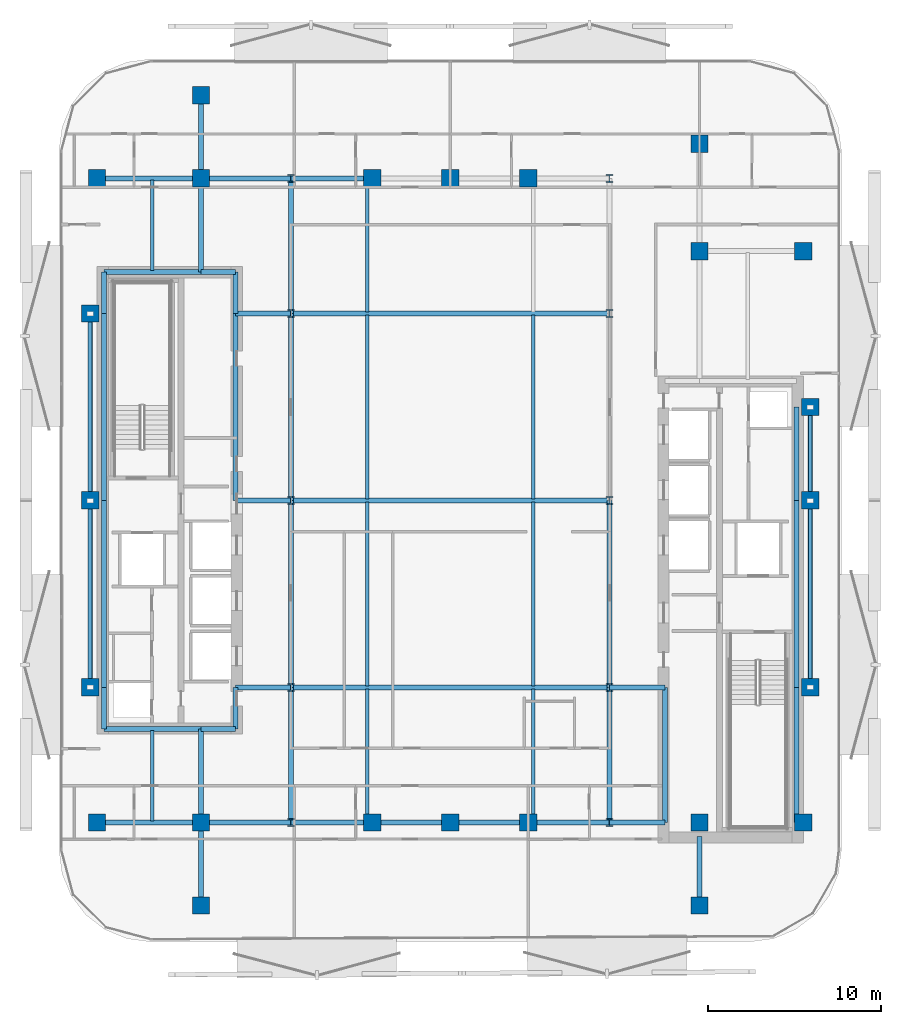
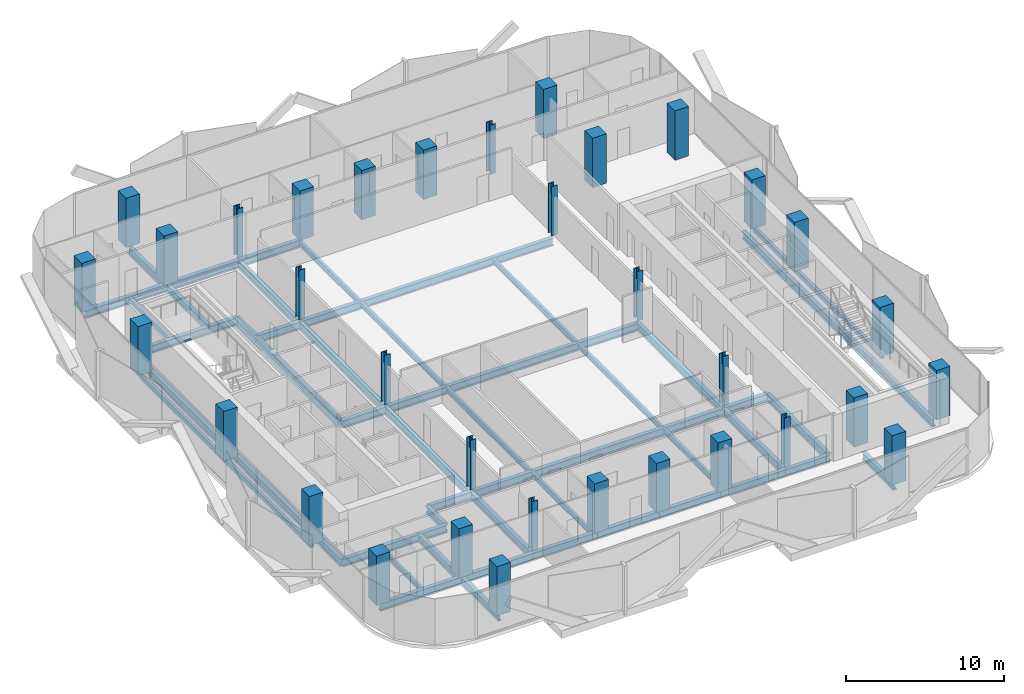
# One storey, part 1 of 17: 56 beams, 34 columns.
"""IFC4 building model written with IfcOpenShell, lengths in metres."""

from ifc_helpers import new_model, si_unit, direction, frame, origin, origin_2d, place, context, subcontext, project, spatial, rectangle, hollow_rectangle, i_section, extrude, material, material_profile, profile_set, type_object, element, save


model = new_model("IFC4")

# Units and contexts
model_context = context("Model", 3, precision=1e-05, world=origin(), true_north=direction((0.0, 1.0)))
body_context = subcontext(model_context, "Body", "Model", "MODEL_VIEW")
ifc_project = project(units=[si_unit("LENGTHUNIT", "METRE"), si_unit("AREAUNIT", "SQUARE_METRE"), si_unit("VOLUMEUNIT", "CUBIC_METRE"), si_unit("PLANEANGLEUNIT", "RADIAN"), si_unit("MASSUNIT", "GRAM", prefix="KILO")], contexts=[model_context])

# Site, building, storey
site_placement = place(None, origin())
site = spatial("IfcSite", under=ifc_project, at=site_placement, CompositionType="ELEMENT")
building_placement = place(site_placement, origin())
building = spatial("IfcBuilding", under=site, at=building_placement, Name="Khairoan Windgate Tower", CompositionType="ELEMENT")
storey_placement = place(building_placement, frame((0.0, 0.0, 203.0)))
storey = spatial("IfcBuildingStorey", under=building, at=storey_placement, Name="L47", CompositionType="ELEMENT", Elevation=203.0)

# Columns
ifc_material_1 = material(Name="Concrete C50/60", Category="concrete")
ifc_material_profile_1 = material_profile(ifc_material_1, rectangle(XDim=1.0, YDim=1.0, at=origin_2d()))
ifc_profile_set_1 = profile_set([ifc_material_profile_1], Name="Concrete C50/60")
column_type_1 = type_object("IfcColumnType", Name="Column C-T4 RC1000x1000", PredefinedType="COLUMN", material=ifc_profile_set_1)
for number, where, z_axis, x_axis, name in (
    (1, (-20.39990234375, -18.60009765625, 0.0), (0.0, 0.0, 1.0), (1.0, 0.0, 0.0), "Column L47-11"),
    (2, (-20.39990234375, 18.60009765625, 0.0), (0.0, 0.0, 1.0), (1.0, 0.0, 0.0), "Column L47-12"),
    (3, (20.39990234375, -18.60009765625, 0.0), (0.0, 0.0, 1.0), (1.0, 0.0, 0.0), "Column L47-13"),
    (4, (20.39990234375, 14.39990234375, 0.0), (0.0, 0.0, 1.0), (1.0, 0.0, 0.0), "Column L47-14"),
    (5, (-14.39990234375, -18.60009765625, 0.0), (0.0, 0.0, 1.0), (1.0, 0.0, 0.0), "Column L47-15"),
    (6, (-14.39990234375, 18.60009765625, 0.0), (0.0, 0.0, 1.0), (1.0, 0.0, 0.0), "Column L47-16"),
    (7, (14.39990234375, -18.60009765625, 0.0), (0.0, 0.0, 1.0), (1.0, 0.0, 0.0), "Column L47-17"),
    (8, (14.39990234375, 14.39990234375, 0.0), (0.0, 0.0, 1.0), (1.0, 0.0, 0.0), "Column L47-18"),
    (9, (-4.5, -18.60009765625, 0.0), (0.0, 0.0, 1.0), (1.0, 0.0, 0.0), "Column L47-19"),
    (10, (0.0, -18.60009765625, 0.0), (0.0, 0.0, 1.0), (1.0, 0.0, 0.0), "Column L47-20"),
    (11, (4.5, -18.60009765625, 0.0), (0.0, 0.0, 1.0), (1.0, 0.0, 0.0), "Column L47-21"),
    (12, (-4.5, 18.60009765625, 0.0), (0.0, 0.0, 1.0), (1.0, 0.0, 0.0), "Column L47-22"),
    (13, (0.0, 18.60009765625, 0.0), (0.0, 0.0, 1.0), (1.0, 0.0, 0.0), "Column L47-23"),
    (14, (4.5, 18.60009765625, 0.0), (0.0, 0.0, 1.0), (1.0, 0.0, 0.0), "Column L47-24"),
    (15, (-20.800048828125, -10.800048828125, 0.0), (0.0, 0.0, 1.0), (1.0, 0.0, 0.0), "Column L47-25"),
    (16, (-20.800048828125, 0.0, 0.0), (0.0, 0.0, 1.0), (1.0, 0.0, 0.0), "Column L47-26"),
    (17, (-20.800048828125, 10.800048828125, 0.0), (0.0, 0.0, 1.0), (1.0, 0.0, 0.0), "Column L47-27"),
    (18, (20.800048828125, -10.800048828125, 0.0), (0.0, 0.0, 1.0), (1.0, 0.0, 0.0), "Column L47-28"),
    (19, (20.800048828125, 0.0, 0.0), (0.0, 0.0, 1.0), (1.0, 0.0, 0.0), "Column L47-29"),
    (20, (20.800048828125, 5.39990234375, 0.0), (0.0, 0.0, 1.0), (1.0, 0.0, 0.0), "Column L47-30"),
    (21, (-14.39990234375, -23.39990234375, 0.0), (0.0, 0.0, 1.0), (1.0, 0.0, 0.0), "Column L47-31"),
    (22, (-14.39990234375, 23.39990234375, 0.0), (0.0, 0.0, 1.0), (1.0, 0.0, 0.0), "Column L47-32"),
    (23, (14.39990234375, -23.39990234375, 0.0), (0.0, 0.0, 1.0), (1.0, 0.0, 0.0), "Column L47-33"),
    (24, (14.39990234375, 20.60009765625, 0.0), (0.0, 0.0, 1.0), (1.0, 0.0, 0.0), "Column L47-34"),
):
    element("IfcColumn", number, at=place(storey_placement, frame(where, z_axis=z_axis, x_axis=x_axis)), inside=storey, type_object=column_type_1, Name=name, PredefinedType="COLUMN", context=body_context, shape_type="SweptSolid", body=[
        extrude(rectangle(XDim=1.0, YDim=1.0, at=origin_2d()), origin(), (0.0, 0.0, 1.0), 3.800048828125),
    ])
ifc_material_2 = material(Name="Steel S355", Category="steel")
ifc_material_profile_2 = material_profile(ifc_material_2, i_section(OverallWidth=0.4169921875, OverallDepth=0.4580078125, WebThickness=0.030029296875, FlangeThickness=0.050048828125, FilletRadius=0.02197265625, at=origin_2d()))
ifc_profile_set_2 = profile_set([ifc_material_profile_2], Name="Steel S355")
column_type_2 = type_object("IfcColumnType", Name="Steel Column SC2 H458x417x30x50", PredefinedType="COLUMN", material=ifc_profile_set_2)
for number, where, z_axis, x_axis, name in (
    (25, (-9.199951171875, -18.60009765625, 0.0), (0.0, 0.0, 1.0), (1.0, 0.0, 0.0), "Column L47-01"),
    (26, (-9.199951171875, -10.800048828125, 0.0), (0.0, 0.0, 1.0), (1.0, 0.0, 0.0), "Column L47-02"),
    (27, (-9.199951171875, 0.0, 0.0), (0.0, 0.0, 1.0), (1.0, 0.0, 0.0), "Column L47-03"),
    (28, (-9.199951171875, 10.800048828125, 0.0), (0.0, 0.0, 1.0), (1.0, 0.0, 0.0), "Column L47-04"),
    (29, (-9.199951171875, 18.60009765625, 0.0), (0.0, 0.0, 1.0), (1.0, 0.0, 0.0), "Column L47-05"),
    (30, (9.199951171875, -18.60009765625, 0.0), (0.0, 0.0, 1.0), (1.0, 0.0, 0.0), "Column L47-06"),
    (31, (9.199951171875, -10.800048828125, 0.0), (0.0, 0.0, 1.0), (1.0, 0.0, 0.0), "Column L47-07"),
    (32, (9.199951171875, 0.0, 0.0), (0.0, 0.0, 1.0), (1.0, 0.0, 0.0), "Column L47-08"),
    (33, (9.199951171875, 10.800048828125, 0.0), (0.0, 0.0, 1.0), (1.0, 0.0, 0.0), "Column L47-09"),
    (34, (9.199951171875, 18.60009765625, 0.0), (0.0, 0.0, 1.0), (1.0, 0.0, 0.0), "Column L47-10"),
):
    element("IfcColumn", number, at=place(storey_placement, frame(where, z_axis=z_axis, x_axis=x_axis)), inside=storey, type_object=column_type_2, Name=name, PredefinedType="COLUMN", context=body_context, shape_type="SweptSolid", body=[
        extrude(i_section(OverallWidth=0.4169921875, OverallDepth=0.4580078125, WebThickness=0.030029296875, FlangeThickness=0.050048828125, FilletRadius=0.02197265625, at=origin_2d()), origin(), (0.0, 0.0, 1.0), 3.800048828125),
    ])

# Beams
ifc_material_3 = material(Name="Steel S355", Category="steel")
ifc_material_profile_3 = material_profile(ifc_material_3, i_section(OverallWidth=0.300048828125, OverallDepth=0.587890625, WebThickness=0.011962890625, FlangeThickness=0.02001953125, FilletRadius=0.02392578125, at=origin_2d()))
ifc_profile_set_3 = profile_set([ifc_material_profile_3], Name="Steel S355")
beam_type_1 = type_object("IfcBeamType", Name="Beam B-G4 H588x300x12x20", PredefinedType="BEAM", material=ifc_profile_set_3)
beam_1_placement = place(storey_placement, frame((-20.39990234375, -18.60009765625, -0.553955078125), z_axis=(1.0, 0.0, 0.0), x_axis=(0.0, 1.0, 0.0)))
element("IfcBeam", 35, at=beam_1_placement, inside=storey, type_object=beam_type_1, Name="L47 E-W Primary Girder 01", PredefinedType="BEAM", context=body_context, shape_type="SweptSolid", body=[
    extrude(i_section(OverallWidth=0.300048828125, OverallDepth=0.587890625, WebThickness=0.011962890625, FlangeThickness=0.02001953125, FilletRadius=0.02392578125, at=origin_2d()), origin(), (0.0, 0.0, 1.0), 6.0),
])
beam_2_placement = place(storey_placement, frame((-14.39990234375, -18.60009765625, -0.553955078125), z_axis=(1.0, 0.0, 0.0), x_axis=(0.0, 1.0, 0.0)))
element("IfcBeam", 36, at=beam_2_placement, inside=storey, type_object=beam_type_1, Name="L47 E-W Primary Girder 02", PredefinedType="BEAM", context=body_context, shape_type="SweptSolid", body=[
    extrude(i_section(OverallWidth=0.300048828125, OverallDepth=0.587890625, WebThickness=0.011962890625, FlangeThickness=0.02001953125, FilletRadius=0.02392578125, at=origin_2d()), origin(), (0.0, 0.0, 1.0), 5.199951171875),
])
beam_3_placement = place(storey_placement, frame((-9.199951171875, -18.60009765625, -0.553955078125), z_axis=(1.0, 0.0, 0.0), x_axis=(0.0, 1.0, 0.0)))
element("IfcBeam", 37, at=beam_3_placement, inside=storey, type_object=beam_type_1, Name="L47 E-W Primary Girder 03", PredefinedType="BEAM", context=body_context, shape_type="SweptSolid", body=[
    extrude(i_section(OverallWidth=0.300048828125, OverallDepth=0.587890625, WebThickness=0.011962890625, FlangeThickness=0.02001953125, FilletRadius=0.02392578125, at=origin_2d()), origin(), (0.0, 0.0, 1.0), 4.699951171875),
])
for number, where, z_axis, x_axis, name in (
    (38, (-4.5, -18.60009765625, -0.553955078125), (1.0, 0.0, 0.0), (0.0, 1.0, 0.0), "L47 E-W Primary Girder 04"),
    (39, (0.0, -18.60009765625, -0.553955078125), (1.0, 0.0, 0.0), (0.0, 1.0, 0.0), "L47 E-W Primary Girder 05"),
):
    element("IfcBeam", number, at=place(storey_placement, frame(where, z_axis=z_axis, x_axis=x_axis)), inside=storey, type_object=beam_type_1, Name=name, PredefinedType="BEAM", context=body_context, shape_type="SweptSolid", body=[
        extrude(i_section(OverallWidth=0.300048828125, OverallDepth=0.587890625, WebThickness=0.011962890625, FlangeThickness=0.02001953125, FilletRadius=0.02392578125, at=origin_2d()), origin(), (0.0, 0.0, 1.0), 4.5),
    ])
beam_4_placement = place(storey_placement, frame((4.5, -18.60009765625, -0.553955078125), z_axis=(1.0, 0.0, 0.0), x_axis=(0.0, 1.0, 0.0)))
element("IfcBeam", 40, at=beam_4_placement, inside=storey, type_object=beam_type_1, Name="L47 E-W Primary Girder 06", PredefinedType="BEAM", context=body_context, shape_type="SweptSolid", body=[
    extrude(i_section(OverallWidth=0.300048828125, OverallDepth=0.587890625, WebThickness=0.011962890625, FlangeThickness=0.02001953125, FilletRadius=0.02392578125, at=origin_2d()), origin(), (0.0, 0.0, 1.0), 4.699951171875),
])
beam_5_placement = place(storey_placement, frame((9.199951171875, -18.60009765625, -0.553955078125), z_axis=(1.0, 0.0, 0.0), x_axis=(0.0, 1.0, 0.0)))
element("IfcBeam", 41, at=beam_5_placement, inside=storey, type_object=beam_type_1, Name="L47 E-W Primary Girder 07", PredefinedType="BEAM", context=body_context, shape_type="SweptSolid", body=[
    extrude(i_section(OverallWidth=0.300048828125, OverallDepth=0.587890625, WebThickness=0.011962890625, FlangeThickness=0.02001953125, FilletRadius=0.02392578125, at=origin_2d()), origin(), (0.0, 0.0, 1.0), 3.199951171875),
])
beam_6_placement = place(storey_placement, frame((-20.0, -13.199951171875, -0.553955078125), z_axis=(1.0, 0.0, 0.0), x_axis=(0.0, 1.0, 0.0)))
element("IfcBeam", 42, at=beam_6_placement, inside=storey, type_object=beam_type_1, Name="L47 E-W Primary Girder 08", PredefinedType="BEAM", context=body_context, shape_type="SweptSolid", body=[
    extrude(i_section(OverallWidth=0.300048828125, OverallDepth=0.587890625, WebThickness=0.011962890625, FlangeThickness=0.02001953125, FilletRadius=0.02392578125, at=origin_2d()), origin(), (0.0, 0.0, 1.0), 5.60009765625),
])
beam_7_placement = place(storey_placement, frame((-14.39990234375, -13.199951171875, -0.553955078125), z_axis=(1.0, 0.0, 0.0), x_axis=(0.0, 1.0, 0.0)))
element("IfcBeam", 43, at=beam_7_placement, inside=storey, type_object=beam_type_1, Name="L47 E-W Primary Girder 09", PredefinedType="BEAM", context=body_context, shape_type="SweptSolid", body=[
    extrude(i_section(OverallWidth=0.300048828125, OverallDepth=0.587890625, WebThickness=0.011962890625, FlangeThickness=0.02001953125, FilletRadius=0.02392578125, at=origin_2d()), origin(), (0.0, 0.0, 1.0), 2.0),
])
beam_8_placement = place(storey_placement, frame((-12.39990234375, -10.800048828125, -0.553955078125), z_axis=(1.0, 0.0, 0.0), x_axis=(0.0, 1.0, 0.0)))
element("IfcBeam", 44, at=beam_8_placement, inside=storey, type_object=beam_type_1, Name="L47 E-W Primary Girder 10", PredefinedType="BEAM", context=body_context, shape_type="SweptSolid", body=[
    extrude(i_section(OverallWidth=0.300048828125, OverallDepth=0.587890625, WebThickness=0.011962890625, FlangeThickness=0.02001953125, FilletRadius=0.02392578125, at=origin_2d()), origin(), (0.0, 0.0, 1.0), 3.199951171875),
])
beam_9_placement = place(storey_placement, frame((-9.199951171875, -10.800048828125, -0.553955078125), z_axis=(1.0, 0.0, 0.0), x_axis=(0.0, 1.0, 0.0)))
element("IfcBeam", 45, at=beam_9_placement, inside=storey, type_object=beam_type_1, Name="L47 E-W Primary Girder 11", PredefinedType="BEAM", context=body_context, shape_type="SweptSolid", body=[
    extrude(i_section(OverallWidth=0.300048828125, OverallDepth=0.587890625, WebThickness=0.011962890625, FlangeThickness=0.02001953125, FilletRadius=0.02392578125, at=origin_2d()), origin(), (0.0, 0.0, 1.0), 18.39990234375),
])
for number, where, z_axis, x_axis, name in (
    (46, (9.199951171875, -10.800048828125, -0.553955078125), (1.0, 0.0, 0.0), (0.0, 1.0, 0.0), "L47 E-W Primary Girder 12"),
    (47, (-12.39990234375, 0.0, -0.553955078125), (1.0, 0.0, 0.0), (0.0, 1.0, 0.0), "L47 E-W Primary Girder 13"),
):
    element("IfcBeam", number, at=place(storey_placement, frame(where, z_axis=z_axis, x_axis=x_axis)), inside=storey, type_object=beam_type_1, Name=name, PredefinedType="BEAM", context=body_context, shape_type="SweptSolid", body=[
        extrude(i_section(OverallWidth=0.300048828125, OverallDepth=0.587890625, WebThickness=0.011962890625, FlangeThickness=0.02001953125, FilletRadius=0.02392578125, at=origin_2d()), origin(), (0.0, 0.0, 1.0), 3.199951171875),
    ])
beam_10_placement = place(storey_placement, frame((-9.199951171875, 0.0, -0.553955078125), z_axis=(1.0, 0.0, 0.0), x_axis=(0.0, 1.0, 0.0)))
element("IfcBeam", 48, at=beam_10_placement, inside=storey, type_object=beam_type_1, Name="L47 E-W Primary Girder 14", PredefinedType="BEAM", context=body_context, shape_type="SweptSolid", body=[
    extrude(i_section(OverallWidth=0.300048828125, OverallDepth=0.587890625, WebThickness=0.011962890625, FlangeThickness=0.02001953125, FilletRadius=0.02392578125, at=origin_2d()), origin(), (0.0, 0.0, 1.0), 18.39990234375),
])
beam_11_placement = place(storey_placement, frame((-12.39990234375, 10.800048828125, -0.553955078125), z_axis=(1.0, 0.0, 0.0), x_axis=(0.0, 1.0, 0.0)))
element("IfcBeam", 49, at=beam_11_placement, inside=storey, type_object=beam_type_1, Name="L47 E-W Primary Girder 17", PredefinedType="BEAM", context=body_context, shape_type="SweptSolid", body=[
    extrude(i_section(OverallWidth=0.300048828125, OverallDepth=0.587890625, WebThickness=0.011962890625, FlangeThickness=0.02001953125, FilletRadius=0.02392578125, at=origin_2d()), origin(), (0.0, 0.0, 1.0), 3.199951171875),
])
beam_12_placement = place(storey_placement, frame((-9.199951171875, 10.800048828125, -0.553955078125), z_axis=(1.0, 0.0, 0.0), x_axis=(0.0, 1.0, 0.0)))
element("IfcBeam", 50, at=beam_12_placement, inside=storey, type_object=beam_type_1, Name="L47 E-W Primary Girder 18", PredefinedType="BEAM", context=body_context, shape_type="SweptSolid", body=[
    extrude(i_section(OverallWidth=0.300048828125, OverallDepth=0.587890625, WebThickness=0.011962890625, FlangeThickness=0.02001953125, FilletRadius=0.02392578125, at=origin_2d()), origin(), (0.0, 0.0, 1.0), 18.39990234375),
])
beam_13_placement = place(storey_placement, frame((-20.0, 13.199951171875, -0.553955078125), z_axis=(1.0, 0.0, 0.0), x_axis=(0.0, 1.0, 0.0)))
element("IfcBeam", 51, at=beam_13_placement, inside=storey, type_object=beam_type_1, Name="L47 E-W Primary Girder 19", PredefinedType="BEAM", context=body_context, shape_type="SweptSolid", body=[
    extrude(i_section(OverallWidth=0.300048828125, OverallDepth=0.587890625, WebThickness=0.011962890625, FlangeThickness=0.02001953125, FilletRadius=0.02392578125, at=origin_2d()), origin(), (0.0, 0.0, 1.0), 5.60009765625),
])
beam_14_placement = place(storey_placement, frame((-14.39990234375, 13.199951171875, -0.553955078125), z_axis=(1.0, 0.0, 0.0), x_axis=(0.0, 1.0, 0.0)))
element("IfcBeam", 52, at=beam_14_placement, inside=storey, type_object=beam_type_1, Name="L47 E-W Primary Girder 20", PredefinedType="BEAM", context=body_context, shape_type="SweptSolid", body=[
    extrude(i_section(OverallWidth=0.300048828125, OverallDepth=0.587890625, WebThickness=0.011962890625, FlangeThickness=0.02001953125, FilletRadius=0.02392578125, at=origin_2d()), origin(), (0.0, 0.0, 1.0), 2.0),
])
beam_15_placement = place(storey_placement, frame((-20.39990234375, 18.60009765625, -0.553955078125), z_axis=(1.0, 0.0, 0.0), x_axis=(0.0, 1.0, 0.0)))
element("IfcBeam", 53, at=beam_15_placement, inside=storey, type_object=beam_type_1, Name="L47 E-W Primary Girder 22", PredefinedType="BEAM", context=body_context, shape_type="SweptSolid", body=[
    extrude(i_section(OverallWidth=0.300048828125, OverallDepth=0.587890625, WebThickness=0.011962890625, FlangeThickness=0.02001953125, FilletRadius=0.02392578125, at=origin_2d()), origin(), (0.0, 0.0, 1.0), 6.0),
])
beam_16_placement = place(storey_placement, frame((-14.39990234375, 18.60009765625, -0.553955078125), z_axis=(1.0, 0.0, 0.0), x_axis=(0.0, 1.0, 0.0)))
element("IfcBeam", 54, at=beam_16_placement, inside=storey, type_object=beam_type_1, Name="L47 E-W Primary Girder 23", PredefinedType="BEAM", context=body_context, shape_type="SweptSolid", body=[
    extrude(i_section(OverallWidth=0.300048828125, OverallDepth=0.587890625, WebThickness=0.011962890625, FlangeThickness=0.02001953125, FilletRadius=0.02392578125, at=origin_2d()), origin(), (0.0, 0.0, 1.0), 5.199951171875),
])
beam_17_placement = place(storey_placement, frame((-9.199951171875, 18.60009765625, -0.553955078125), z_axis=(1.0, 0.0, 0.0), x_axis=(0.0, 1.0, 0.0)))
element("IfcBeam", 55, at=beam_17_placement, inside=storey, type_object=beam_type_1, Name="L47 E-W Primary Girder 24", PredefinedType="BEAM", context=body_context, shape_type="SweptSolid", body=[
    extrude(i_section(OverallWidth=0.300048828125, OverallDepth=0.587890625, WebThickness=0.011962890625, FlangeThickness=0.02001953125, FilletRadius=0.02392578125, at=origin_2d()), origin(), (0.0, 0.0, 1.0), 4.699951171875),
])
beam_18_placement = place(storey_placement, frame((-20.0, -13.199951171875, -0.553955078125), z_axis=(0.0, 1.0, 0.0), x_axis=(-1.0, 0.0, 0.0)))
element("IfcBeam", 56, at=beam_18_placement, inside=storey, type_object=beam_type_1, Name="L47 N-S Primary Beam 30", PredefinedType="BEAM", context=body_context, shape_type="SweptSolid", body=[
    extrude(i_section(OverallWidth=0.300048828125, OverallDepth=0.587890625, WebThickness=0.011962890625, FlangeThickness=0.02001953125, FilletRadius=0.02392578125, at=origin_2d()), origin(), (0.0, 0.0, 1.0), 2.39990234375),
])
for number, where, z_axis, x_axis, name in (
    (57, (-20.0, -10.800048828125, -0.553955078125), (0.0, 1.0, 0.0), (-1.0, 0.0, 0.0), "L47 N-S Primary Beam 31"),
    (58, (-20.0, 0.0, -0.553955078125), (0.0, 1.0, 0.0), (-1.0, 0.0, 0.0), "L47 N-S Primary Beam 32"),
):
    element("IfcBeam", number, at=place(storey_placement, frame(where, z_axis=z_axis, x_axis=x_axis)), inside=storey, type_object=beam_type_1, Name=name, PredefinedType="BEAM", context=body_context, shape_type="SweptSolid", body=[
        extrude(i_section(OverallWidth=0.300048828125, OverallDepth=0.587890625, WebThickness=0.011962890625, FlangeThickness=0.02001953125, FilletRadius=0.02392578125, at=origin_2d()), origin(), (0.0, 0.0, 1.0), 10.800048828125),
    ])
beam_19_placement = place(storey_placement, frame((-20.0, 10.800048828125, -0.553955078125), z_axis=(0.0, 1.0, 0.0), x_axis=(-1.0, 0.0, 0.0)))
element("IfcBeam", 59, at=beam_19_placement, inside=storey, type_object=beam_type_1, Name="L47 N-S Primary Beam 33", PredefinedType="BEAM", context=body_context, shape_type="SweptSolid", body=[
    extrude(i_section(OverallWidth=0.300048828125, OverallDepth=0.587890625, WebThickness=0.011962890625, FlangeThickness=0.02001953125, FilletRadius=0.02392578125, at=origin_2d()), origin(), (0.0, 0.0, 1.0), 2.39990234375),
])
beam_20_placement = place(storey_placement, frame((-14.39990234375, -23.39990234375, -0.553955078125), z_axis=(0.0, 1.0, 0.0), x_axis=(-1.0, 0.0, 0.0)))
element("IfcBeam", 60, at=beam_20_placement, inside=storey, type_object=beam_type_1, Name="L47 N-S Primary Beam 34", PredefinedType="BEAM", context=body_context, shape_type="SweptSolid", body=[
    extrude(i_section(OverallWidth=0.300048828125, OverallDepth=0.587890625, WebThickness=0.011962890625, FlangeThickness=0.02001953125, FilletRadius=0.02392578125, at=origin_2d()), origin(), (0.0, 0.0, 1.0), 4.7998046875),
])
for number, where, z_axis, x_axis, name in (
    (61, (-14.39990234375, -18.60009765625, -0.553955078125), (0.0, 1.0, 0.0), (-1.0, 0.0, 0.0), "L47 N-S Primary Beam 35"),
    (62, (-14.39990234375, 13.199951171875, -0.553955078125), (0.0, 1.0, 0.0), (-1.0, 0.0, 0.0), "L47 N-S Primary Beam 36"),
):
    element("IfcBeam", number, at=place(storey_placement, frame(where, z_axis=z_axis, x_axis=x_axis)), inside=storey, type_object=beam_type_1, Name=name, PredefinedType="BEAM", context=body_context, shape_type="SweptSolid", body=[
        extrude(i_section(OverallWidth=0.300048828125, OverallDepth=0.587890625, WebThickness=0.011962890625, FlangeThickness=0.02001953125, FilletRadius=0.02392578125, at=origin_2d()), origin(), (0.0, 0.0, 1.0), 5.400146484375),
    ])
beam_21_placement = place(storey_placement, frame((-14.39990234375, 18.60009765625, -0.553955078125), z_axis=(0.0, 1.0, 0.0), x_axis=(-1.0, 0.0, 0.0)))
element("IfcBeam", 63, at=beam_21_placement, inside=storey, type_object=beam_type_1, Name="L47 N-S Primary Beam 37", PredefinedType="BEAM", context=body_context, shape_type="SweptSolid", body=[
    extrude(i_section(OverallWidth=0.300048828125, OverallDepth=0.587890625, WebThickness=0.011962890625, FlangeThickness=0.02001953125, FilletRadius=0.02392578125, at=origin_2d()), origin(), (0.0, 0.0, 1.0), 4.7998046875),
])
beam_22_placement = place(storey_placement, frame((-12.39990234375, -13.199951171875, -0.553955078125), z_axis=(0.0, 1.0, 0.0), x_axis=(-1.0, 0.0, 0.0)))
element("IfcBeam", 64, at=beam_22_placement, inside=storey, type_object=beam_type_1, Name="L47 N-S Primary Beam 38", PredefinedType="BEAM", context=body_context, shape_type="SweptSolid", body=[
    extrude(i_section(OverallWidth=0.300048828125, OverallDepth=0.587890625, WebThickness=0.011962890625, FlangeThickness=0.02001953125, FilletRadius=0.02392578125, at=origin_2d()), origin(), (0.0, 0.0, 1.0), 2.39990234375),
])
beam_23_placement = place(storey_placement, frame((-12.39990234375, 0.0, -0.553955078125), z_axis=(0.0, 1.0, 0.0), x_axis=(-1.0, 0.0, 0.0)))
element("IfcBeam", 65, at=beam_23_placement, inside=storey, type_object=beam_type_1, Name="L47 N-S Primary Beam 39", PredefinedType="BEAM", context=body_context, shape_type="SweptSolid", body=[
    extrude(i_section(OverallWidth=0.300048828125, OverallDepth=0.587890625, WebThickness=0.011962890625, FlangeThickness=0.02001953125, FilletRadius=0.02392578125, at=origin_2d()), origin(), (0.0, 0.0, 1.0), 10.800048828125),
])
beam_24_placement = place(storey_placement, frame((-12.39990234375, 10.800048828125, -0.553955078125), z_axis=(0.0, 1.0, 0.0), x_axis=(-1.0, 0.0, 0.0)))
element("IfcBeam", 66, at=beam_24_placement, inside=storey, type_object=beam_type_1, Name="L47 N-S Primary Beam 40", PredefinedType="BEAM", context=body_context, shape_type="SweptSolid", body=[
    extrude(i_section(OverallWidth=0.300048828125, OverallDepth=0.587890625, WebThickness=0.011962890625, FlangeThickness=0.02001953125, FilletRadius=0.02392578125, at=origin_2d()), origin(), (0.0, 0.0, 1.0), 2.39990234375),
])
beam_25_placement = place(storey_placement, frame((-9.199951171875, -18.60009765625, -0.553955078125), z_axis=(0.0, 1.0, 0.0), x_axis=(-1.0, 0.0, 0.0)))
element("IfcBeam", 67, at=beam_25_placement, inside=storey, type_object=beam_type_1, Name="L47 N-S Primary Beam 41", PredefinedType="BEAM", context=body_context, shape_type="SweptSolid", body=[
    extrude(i_section(OverallWidth=0.300048828125, OverallDepth=0.587890625, WebThickness=0.011962890625, FlangeThickness=0.02001953125, FilletRadius=0.02392578125, at=origin_2d()), origin(), (0.0, 0.0, 1.0), 7.800048828125),
])
for number, where, z_axis, x_axis, name in (
    (68, (-9.199951171875, -10.800048828125, -0.553955078125), (0.0, 1.0, 0.0), (-1.0, 0.0, 0.0), "L47 N-S Primary Beam 42"),
    (69, (-9.199951171875, 0.0, -0.553955078125), (0.0, 1.0, 0.0), (-1.0, 0.0, 0.0), "L47 N-S Primary Beam 43"),
):
    element("IfcBeam", number, at=place(storey_placement, frame(where, z_axis=z_axis, x_axis=x_axis)), inside=storey, type_object=beam_type_1, Name=name, PredefinedType="BEAM", context=body_context, shape_type="SweptSolid", body=[
        extrude(i_section(OverallWidth=0.300048828125, OverallDepth=0.587890625, WebThickness=0.011962890625, FlangeThickness=0.02001953125, FilletRadius=0.02392578125, at=origin_2d()), origin(), (0.0, 0.0, 1.0), 10.800048828125),
    ])
for number, where, z_axis, x_axis, name in (
    (70, (-9.199951171875, 10.800048828125, -0.553955078125), (0.0, 1.0, 0.0), (-1.0, 0.0, 0.0), "L47 N-S Primary Beam 44"),
    (71, (9.199951171875, -18.60009765625, -0.553955078125), (0.0, 1.0, 0.0), (-1.0, 0.0, 0.0), "L47 N-S Primary Beam 45"),
):
    element("IfcBeam", number, at=place(storey_placement, frame(where, z_axis=z_axis, x_axis=x_axis)), inside=storey, type_object=beam_type_1, Name=name, PredefinedType="BEAM", context=body_context, shape_type="SweptSolid", body=[
        extrude(i_section(OverallWidth=0.300048828125, OverallDepth=0.587890625, WebThickness=0.011962890625, FlangeThickness=0.02001953125, FilletRadius=0.02392578125, at=origin_2d()), origin(), (0.0, 0.0, 1.0), 7.800048828125),
    ])
beam_26_placement = place(storey_placement, frame((9.199951171875, -10.800048828125, -0.553955078125), z_axis=(0.0, 1.0, 0.0), x_axis=(-1.0, 0.0, 0.0)))
element("IfcBeam", 72, at=beam_26_placement, inside=storey, type_object=beam_type_1, Name="L47 N-S Primary Beam 46", PredefinedType="BEAM", context=body_context, shape_type="SweptSolid", body=[
    extrude(i_section(OverallWidth=0.300048828125, OverallDepth=0.587890625, WebThickness=0.011962890625, FlangeThickness=0.02001953125, FilletRadius=0.02392578125, at=origin_2d()), origin(), (0.0, 0.0, 1.0), 10.800048828125),
])
beam_27_placement = place(storey_placement, frame((12.39990234375, -18.60009765625, -0.553955078125), z_axis=(0.0, 1.0, 0.0), x_axis=(-1.0, 0.0, 0.0)))
element("IfcBeam", 73, at=beam_27_placement, inside=storey, type_object=beam_type_1, Name="L47 N-S Primary Beam 49", PredefinedType="BEAM", context=body_context, shape_type="SweptSolid", body=[
    extrude(i_section(OverallWidth=0.300048828125, OverallDepth=0.587890625, WebThickness=0.011962890625, FlangeThickness=0.02001953125, FilletRadius=0.02392578125, at=origin_2d()), origin(), (0.0, 0.0, 1.0), 7.800048828125),
])
beam_28_placement = place(storey_placement, frame((14.39990234375, -23.39990234375, -0.553955078125), z_axis=(0.0, 1.0, 0.0), x_axis=(-1.0, 0.0, 0.0)))
element("IfcBeam", 74, at=beam_28_placement, inside=storey, type_object=beam_type_1, Name="L47 N-S Primary Beam 50", PredefinedType="BEAM", context=body_context, shape_type="SweptSolid", body=[
    extrude(i_section(OverallWidth=0.300048828125, OverallDepth=0.587890625, WebThickness=0.011962890625, FlangeThickness=0.02001953125, FilletRadius=0.02392578125, at=origin_2d()), origin(), (0.0, 0.0, 1.0), 4.0),
])
beam_29_placement = place(storey_placement, frame((20.0, -18.60009765625, -0.553955078125), z_axis=(0.0, 1.0, 0.0), x_axis=(-1.0, 0.0, 0.0)))
element("IfcBeam", 75, at=beam_29_placement, inside=storey, type_object=beam_type_1, Name="L47 N-S Primary Beam 53", PredefinedType="BEAM", context=body_context, shape_type="SweptSolid", body=[
    extrude(i_section(OverallWidth=0.300048828125, OverallDepth=0.587890625, WebThickness=0.011962890625, FlangeThickness=0.02001953125, FilletRadius=0.02392578125, at=origin_2d()), origin(), (0.0, 0.0, 1.0), 7.800048828125),
])
beam_30_placement = place(storey_placement, frame((20.0, -10.800048828125, -0.553955078125), z_axis=(0.0, 1.0, 0.0), x_axis=(-1.0, 0.0, 0.0)))
element("IfcBeam", 76, at=beam_30_placement, inside=storey, type_object=beam_type_1, Name="L47 N-S Primary Beam 54", PredefinedType="BEAM", context=body_context, shape_type="SweptSolid", body=[
    extrude(i_section(OverallWidth=0.300048828125, OverallDepth=0.587890625, WebThickness=0.011962890625, FlangeThickness=0.02001953125, FilletRadius=0.02392578125, at=origin_2d()), origin(), (0.0, 0.0, 1.0), 10.800048828125),
])
beam_31_placement = place(storey_placement, frame((20.0, 0.0, -0.553955078125), z_axis=(0.0, 1.0, 0.0), x_axis=(-1.0, 0.0, 0.0)))
element("IfcBeam", 77, at=beam_31_placement, inside=storey, type_object=beam_type_1, Name="L47 N-S Primary Beam 55", PredefinedType="BEAM", context=body_context, shape_type="SweptSolid", body=[
    extrude(i_section(OverallWidth=0.300048828125, OverallDepth=0.587890625, WebThickness=0.011962890625, FlangeThickness=0.02001953125, FilletRadius=0.02392578125, at=origin_2d()), origin(), (0.0, 0.0, 1.0), 5.39990234375),
])
ifc_material_4 = material(Name="Steel S355", Category="steel")
ifc_material_profile_4 = material_profile(ifc_material_4, i_section(OverallWidth=0.199951171875, OverallDepth=0.39990234375, WebThickness=0.008056640625, FlangeThickness=0.012939453125, FilletRadius=0.01611328125, at=origin_2d()))
ifc_profile_set_4 = profile_set([ifc_material_profile_4], Name="Steel S355")
beam_type_2 = type_object("IfcBeamType", Name="Beam J-S4 H400x200x8x13", PredefinedType="JOIST", material=ifc_profile_set_4)
for number, where, z_axis, x_axis, name in (
    (78, (-17.199951171875, -18.510009765625, -0.4599609375), (0.0, 1.0, 0.0), (-1.0, 0.0, 0.0), "L47 Secondary Floor Joist 01"),
    (79, (-17.199951171875, 13.2900390625, -0.4599609375), (0.0, 1.0, 0.0), (-1.0, 0.0, 0.0), "L47 Secondary Floor Joist 02"),
):
    element("IfcBeam", number, at=place(storey_placement, frame(where, z_axis=z_axis, x_axis=x_axis)), inside=storey, type_object=beam_type_2, Name=name, PredefinedType="JOIST", context=body_context, shape_type="SweptSolid", body=[
        extrude(i_section(OverallWidth=0.199951171875, OverallDepth=0.39990234375, WebThickness=0.008056640625, FlangeThickness=0.012939453125, FilletRadius=0.01611328125, at=origin_2d()), origin(), (0.0, 0.0, 1.0), 5.219970703125),
    ])
beam_32_placement = place(storey_placement, frame((-4.800048828125, -18.510009765625, -0.4599609375), z_axis=(0.0, 1.0, 0.0), x_axis=(-1.0, 0.0, 0.0)))
element("IfcBeam", 80, at=beam_32_placement, inside=storey, type_object=beam_type_2, Name="L47 Secondary Floor Joist 03", PredefinedType="JOIST", context=body_context, shape_type="SweptSolid", body=[
    extrude(i_section(OverallWidth=0.199951171875, OverallDepth=0.39990234375, WebThickness=0.008056640625, FlangeThickness=0.012939453125, FilletRadius=0.01611328125, at=origin_2d()), origin(), (0.0, 0.0, 1.0), 7.6201171875),
])
for number, where, z_axis, x_axis, name in (
    (81, (-4.800048828125, -10.7099609375, -0.4599609375), (0.0, 1.0, 0.0), (-1.0, 0.0, 0.0), "L47 Secondary Floor Joist 04"),
    (82, (-4.800048828125, 0.090087890625, -0.4599609375), (0.0, 1.0, 0.0), (-1.0, 0.0, 0.0), "L47 Secondary Floor Joist 05"),
):
    element("IfcBeam", number, at=place(storey_placement, frame(where, z_axis=z_axis, x_axis=x_axis)), inside=storey, type_object=beam_type_2, Name=name, PredefinedType="JOIST", context=body_context, shape_type="SweptSolid", body=[
        extrude(i_section(OverallWidth=0.199951171875, OverallDepth=0.39990234375, WebThickness=0.008056640625, FlangeThickness=0.012939453125, FilletRadius=0.01611328125, at=origin_2d()), origin(), (0.0, 0.0, 1.0), 10.619873046875),
    ])
for number, where, z_axis, x_axis, name in (
    (83, (-4.800048828125, 10.889892578125, -0.4599609375), (0.0, 1.0, 0.0), (-1.0, 0.0, 0.0), "L47 Secondary Floor Joist 06"),
    (84, (4.800048828125, -18.510009765625, -0.4599609375), (0.0, 1.0, 0.0), (-1.0, 0.0, 0.0), "L47 Secondary Floor Joist 07"),
):
    element("IfcBeam", number, at=place(storey_placement, frame(where, z_axis=z_axis, x_axis=x_axis)), inside=storey, type_object=beam_type_2, Name=name, PredefinedType="JOIST", context=body_context, shape_type="SweptSolid", body=[
        extrude(i_section(OverallWidth=0.199951171875, OverallDepth=0.39990234375, WebThickness=0.008056640625, FlangeThickness=0.012939453125, FilletRadius=0.01611328125, at=origin_2d()), origin(), (0.0, 0.0, 1.0), 7.6201171875),
    ])
for number, where, z_axis, x_axis, name in (
    (85, (4.800048828125, -10.7099609375, -0.4599609375), (0.0, 1.0, 0.0), (-1.0, 0.0, 0.0), "L47 Secondary Floor Joist 08"),
    (86, (4.800048828125, 0.090087890625, -0.4599609375), (0.0, 1.0, 0.0), (-1.0, 0.0, 0.0), "L47 Secondary Floor Joist 09"),
):
    element("IfcBeam", number, at=place(storey_placement, frame(where, z_axis=z_axis, x_axis=x_axis)), inside=storey, type_object=beam_type_2, Name=name, PredefinedType="JOIST", context=body_context, shape_type="SweptSolid", body=[
        extrude(i_section(OverallWidth=0.199951171875, OverallDepth=0.39990234375, WebThickness=0.008056640625, FlangeThickness=0.012939453125, FilletRadius=0.01611328125, at=origin_2d()), origin(), (0.0, 0.0, 1.0), 10.619873046875),
    ])
ifc_material_5 = material(Name="Steel S355", Category="steel")
ifc_material_profile_5 = material_profile(ifc_material_5, hollow_rectangle(XDim=0.25, YDim=0.35009765625, WallThickness=0.012451171875, InnerFilletRadius=0.012451171875, OuterFilletRadius=0.02490234375, at=origin_2d()))
ifc_profile_set_5 = profile_set([ifc_material_profile_5], Name="Steel S355")
beam_type_3 = type_object("IfcBeamType", Name="Beam SP-B2 RHS350x250x12.5", PredefinedType="SPANDREL", material=ifc_profile_set_5)
for number, where, z_axis, x_axis, name in (
    (87, (-20.800048828125, -10.800048828125, -0.43505859375), (0.0, 1.0, 0.0), (-1.0, 0.0, 0.0), "L47 Spandrel Beam 28"),
    (88, (-20.800048828125, 0.0, -0.43505859375), (0.0, 1.0, 0.0), (-1.0, 0.0, 0.0), "L47 Spandrel Beam 29"),
    (89, (20.800048828125, -10.800048828125, -0.43505859375), (0.0, 1.0, 0.0), (-1.0, 0.0, 0.0), "L47 Spandrel Beam 56"),
):
    element("IfcBeam", number, at=place(storey_placement, frame(where, z_axis=z_axis, x_axis=x_axis)), inside=storey, type_object=beam_type_3, Name=name, PredefinedType="SPANDREL", context=body_context, shape_type="SweptSolid", body=[
        extrude(hollow_rectangle(XDim=0.25, YDim=0.35009765625, WallThickness=0.012451171875, InnerFilletRadius=0.012451171875, OuterFilletRadius=0.02490234375, at=origin_2d()), origin(), (0.0, 0.0, 1.0), 10.800048828125),
    ])
beam_33_placement = place(storey_placement, frame((20.800048828125, 0.0, -0.43505859375), z_axis=(0.0, 1.0, 0.0), x_axis=(-1.0, 0.0, 0.0)))
element("IfcBeam", 90, at=beam_33_placement, inside=storey, type_object=beam_type_3, Name="L47 Spandrel Beam 57", PredefinedType="SPANDREL", context=body_context, shape_type="SweptSolid", body=[
    extrude(hollow_rectangle(XDim=0.25, YDim=0.35009765625, WallThickness=0.012451171875, InnerFilletRadius=0.012451171875, OuterFilletRadius=0.02490234375, at=origin_2d()), origin(), (0.0, 0.0, 1.0), 5.39990234375),
])

save(model, "model.ifc")
